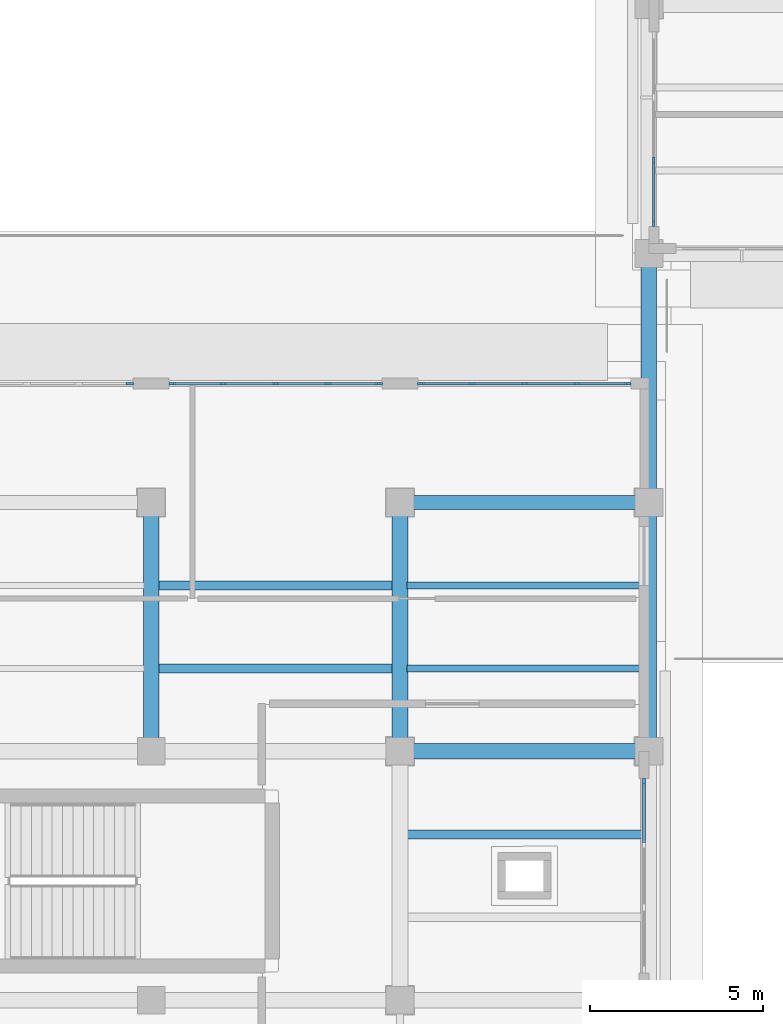
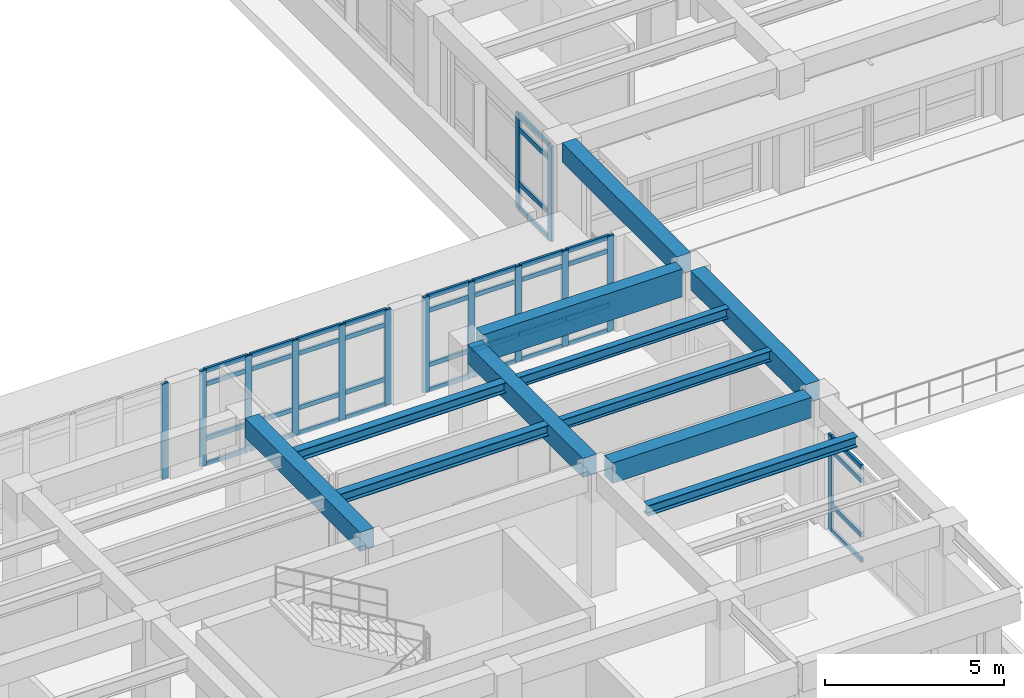
# One storey, part 14 of 67: 54 members, 11 beams, 5 elements without a shape of their own.
"""IFC4 building model written with IfcOpenShell, lengths in metres."""

from ifc_helpers import new_model, si_unit, direction, frame, origin, origin_2d, place, context, subcontext, project, spatial, rectangle, i_section, extrude, material, layer, layer_set, material_profile, profile_set, type_object, element, aggregate, save


model = new_model("IFC4")

# Units and contexts
model_context = context("Model", 3, precision=1e-05, world=origin(), true_north=direction((0.0, 1.0)))
body_context = subcontext(model_context, "Body", "Model", "MODEL_VIEW")
ifc_project = project(units=[si_unit("LENGTHUNIT", "METRE"), si_unit("AREAUNIT", "SQUARE_METRE"), si_unit("VOLUMEUNIT", "CUBIC_METRE"), si_unit("PLANEANGLEUNIT", "RADIAN"), si_unit("MASSUNIT", "GRAM", prefix="KILO")], contexts=[model_context])

# Site, building, storey
site_placement = place(None, origin())
site = spatial("IfcSite", under=ifc_project, at=site_placement, CompositionType="ELEMENT")
building_placement = place(site_placement, origin())
building = spatial("IfcBuilding", under=site, at=building_placement, Name="Solenvale Faculty of Natural Sciences", CompositionType="ELEMENT")
storey_placement = place(building_placement, frame((0.0, 0.0, 13.5)))
storey = spatial("IfcBuildingStorey", under=building, at=storey_placement, Name="L03", CompositionType="ELEMENT", Elevation=13.5)

# Beams
ifc_material_1 = material(Name="Concrete 40 MPa", Category="concrete")
ifc_material_profile_1 = material_profile(ifc_material_1, rectangle(XDim=0.449951171875, YDim=0.64990234375, at=origin_2d()), Name="RC-BM-450x650")
ifc_profile_set_1 = profile_set([ifc_material_profile_1], Name="Concrete 40 MPa")
beam_type_1 = type_object("IfcBeamType", Name="BM-RC-450x650", PredefinedType="BEAM", material=ifc_profile_set_1)
for number, where, z_axis, x_axis, name in (
    (1, (100.800048828125, 29.179931640625, 3.89501953125), (0.0, 1.0, 0.0), (-1.0, 0.0, 0.0), "L03 Y-Girder X100.8 (28.8..36.0)"),
    (2, (108.0, 29.179931640625, 3.89501953125), (0.0, 1.0, 0.0), (-1.0, 0.0, 0.0), "L03 Y-Girder X108.0 (28.8..36.0)"),
    (3, (115.199951171875, 29.179931640625, 3.89501953125), (0.0, 1.0, 0.0), (-1.0, 0.0, 0.0), "L03 Y-Girder X115.2 (28.8..36.0)"),
    (4, (115.199951171875, 36.3798828125, 3.89501953125), (0.0, 1.0, 0.0), (-1.0, 0.0, 0.0), "L03 Y-Girder X115.2 (36.0..43.2)"),
):
    element("IfcBeam", number, at=place(storey_placement, frame(where, z_axis=z_axis, x_axis=x_axis)), inside=storey, type_object=beam_type_1, Name=name, PredefinedType="BEAM", context=body_context, shape_type="SweptSolid", body=[
        extrude(rectangle(XDim=0.449951171875, YDim=0.64990234375, at=origin_2d()), origin(), (0.0, 0.0, 1.0), 6.440185546875),
    ])
ifc_material_profile_2 = material_profile(ifc_material_1, rectangle(XDim=0.449951171875, YDim=0.699951171875, at=origin_2d()), Name="RC-BM-450x700")
ifc_profile_set_2 = profile_set([ifc_material_profile_2], Name="Concrete 40 MPa")
beam_type_2 = type_object("IfcBeamType", Name="BM-RC-450x700", PredefinedType="BEAM", material=ifc_profile_set_2)
beam_1_placement = place(storey_placement, frame((108.3798828125, 28.800048828125, 3.8701171875), z_axis=(1.0, 0.0, 0.0), x_axis=(0.0, 1.0, 0.0)))
element("IfcBeam", 5, at=beam_1_placement, inside=storey, type_object=beam_type_2, Name="L03 X-Girder Y28.8 (108.0..115.2)", PredefinedType="BEAM", context=body_context, shape_type="SweptSolid", body=[
    extrude(rectangle(XDim=0.449951171875, YDim=0.699951171875, at=origin_2d()), origin(), (0.0, 0.0, 1.0), 6.440185546875),
])
ifc_material_2 = material(Name="Architectural bronze concrete 40 MPa", Category="concrete")
ifc_material_profile_3 = material_profile(ifc_material_2, rectangle(XDim=0.39990234375, YDim=0.949951171875, at=origin_2d()), Name="RC-SPN-400x950")
ifc_profile_set_3 = profile_set([ifc_material_profile_3], Name="Architectural bronze concrete 40 MPa")
beam_type_3 = type_object("IfcBeamType", Name="BM-SPN-BRZ-950", PredefinedType="SPANDREL", material=ifc_profile_set_3)
beam_2_placement = place(storey_placement, frame((108.3798828125, 36.0, 3.7451171875), z_axis=(1.0, 0.0, 0.0), x_axis=(0.0, 1.0, 0.0)))
element("IfcBeam", 6, at=beam_2_placement, inside=storey, type_object=beam_type_3, Name="L04 Sliding-Tray North Bronze Fascia 8", PredefinedType="SPANDREL", context=body_context, shape_type="SweptSolid", body=[
    extrude(rectangle(XDim=0.39990234375, YDim=0.949951171875, at=origin_2d()), origin(), (0.0, 0.0, 1.0), 6.440185546875),
])
ifc_material_3 = material(Name="Steel S355", Category="steel")
ifc_material_profile_4 = material_profile(ifc_material_3, i_section(OverallWidth=0.2548828125, OverallDepth=0.35693359375, WebThickness=0.010498046875, FlangeThickness=0.018310546875, FilletRadius=0.014892578125, at=origin_2d()), Name="W360x101")
ifc_profile_set_4 = profile_set([ifc_material_profile_4], Name="Steel S355")
beam_type_4 = type_object("IfcBeamType", Name="BM-STL-W360x101", PredefinedType="JOIST", material=ifc_profile_set_4)
for number, where, z_axis, x_axis, name in (
    (7, (101.0048828125, 31.199951171875, 4.04150390625), (1.0, 0.0, 0.0), (0.0, 1.0, 0.0), "L03 Composite Floor Joist (15,5).1"),
    (8, (101.0048828125, 33.60009765625, 4.04150390625), (1.0, 0.0, 0.0), (0.0, 1.0, 0.0), "L03 Composite Floor Joist (15,5).2"),
    (9, (108.205078125, 26.39990234375, 4.04150390625), (1.0, 0.0, 0.0), (0.0, 1.0, 0.0), "L03 Composite Floor Joist (16,4).2"),
):
    element("IfcBeam", number, at=place(storey_placement, frame(where, z_axis=z_axis, x_axis=x_axis)), inside=storey, type_object=beam_type_4, Name=name, PredefinedType="JOIST", context=body_context, shape_type="SweptSolid", body=[
        extrude(i_section(OverallWidth=0.2548828125, OverallDepth=0.35693359375, WebThickness=0.010498046875, FlangeThickness=0.018310546875, FilletRadius=0.014892578125, at=origin_2d()), origin(), (0.0, 0.0, 1.0), 6.7900390625),
    ])
ifc_material_profile_5 = material_profile(ifc_material_3, i_section(OverallWidth=0.2041015625, OverallDepth=0.35009765625, WebThickness=0.008544921875, FlangeThickness=0.01513671875, FilletRadius=0.014892578125, at=origin_2d()), Name="W360x72")
ifc_profile_set_5 = profile_set([ifc_material_profile_5], Name="Steel S355")
beam_type_5 = type_object("IfcBeamType", Name="BM-STL-W360x72", PredefinedType="JOIST", material=ifc_profile_set_5)
for number, where, z_axis, x_axis, name in (
    (10, (108.205078125, 31.199951171875, 4.044921875), (1.0, 0.0, 0.0), (0.0, 1.0, 0.0), "L03 Composite Floor Joist (16,5).1"),
    (11, (108.205078125, 33.60009765625, 4.044921875), (1.0, 0.0, 0.0), (0.0, 1.0, 0.0), "L03 Composite Floor Joist (16,5).2"),
):
    element("IfcBeam", number, at=place(storey_placement, frame(where, z_axis=z_axis, x_axis=x_axis)), inside=storey, type_object=beam_type_5, Name=name, PredefinedType="JOIST", context=body_context, shape_type="SweptSolid", body=[
        extrude(i_section(OverallWidth=0.2041015625, OverallDepth=0.35009765625, WebThickness=0.008544921875, FlangeThickness=0.01513671875, FilletRadius=0.014892578125, at=origin_2d()), origin(), (0.0, 0.0, 1.0), 6.7900390625),
    ])

# Curtain wall, member
ifc_material_4 = material(Name="Anodised bronze aluminium", Category="aluminium")
ifc_layer_1 = layer(ifc_material_4, 0.179931640625)
ifc_layer_set_1 = layer_set([ifc_layer_1], Name="Anodised bronze aluminium")
curtain_wall_type_1 = type_object("IfcCurtainWallType", Name="CW-TWR-MOD", PredefinedType="USERDEFINED", material=ifc_layer_set_1)
curtain_wall_1_placement = place(storey_placement, origin())
curtain_wall_1 = element("IfcCurtainWall", 12, at=curtain_wall_1_placement, inside=storey, type_object=curtain_wall_type_1, Name="L03 Curtain Wall CW-L03-P1-E7-B2", ObjectType="UNITISED CURTAIN WALL", PredefinedType="USERDEFINED")
ifc_material_profile_6 = material_profile(ifc_material_4, rectangle(XDim=0.074951171875, YDim=0.2099609375, at=origin_2d()), Name="ALU-MUL-75x210")
ifc_profile_set_6 = profile_set([ifc_material_profile_6], Name="Anodised bronze aluminium")
member_type_1 = type_object("IfcMemberType", Name="CWM-ALU-75x210", PredefinedType="MULLION", material=ifc_profile_set_6)
member_1_placement = place(storey_placement, frame((115.0576171875, 27.91259765625, 0.0), z_axis=(0.0, 0.0, 1.0), x_axis=(-1.0, 0.0, 0.0)))
member_1 = element("IfcMember", 13, at=member_1_placement, type_object=member_type_1, Name="CW-04 mullion 4", PredefinedType="MULLION", context=body_context, shape_type="SweptSolid", body=[
    extrude(rectangle(XDim=0.074951171875, YDim=0.2099609375, at=origin_2d()), origin(), (0.0, 0.0, 1.0), 3.260009765625),
])

# Curtain wall, members
ifc_layer_2 = layer(ifc_material_4, 0.18994140625)
ifc_layer_set_2 = layer_set([ifc_layer_2], Name="Anodised bronze aluminium")
curtain_wall_type_2 = type_object("IfcCurtainWallType", Name="CW-TRAY-REC", PredefinedType="USERDEFINED", material=ifc_layer_set_2)
curtain_wall_2_placement = place(storey_placement, origin())
curtain_wall_2 = element("IfcCurtainWall", 14, at=curtain_wall_2_placement, inside=storey, type_object=curtain_wall_type_2, Name="L03 Curtain Wall CW-L03-P1-E8-B1", ObjectType="UNITISED CURTAIN WALL", PredefinedType="USERDEFINED")
member_2_placement = place(storey_placement, frame((114.58251953125, 39.4375, 0.0), z_axis=(0.0, 0.0, 1.0), x_axis=(0.0, -1.0, 0.0)))
member_2 = element("IfcMember", 15, at=member_2_placement, type_object=member_type_1, Name="CW-02 mullion 1", PredefinedType="MULLION", context=body_context, shape_type="SweptSolid", body=[
    extrude(rectangle(XDim=0.074951171875, YDim=0.2099609375, at=origin_2d()), origin(), (0.0, 0.0, 1.0), 3.260009765625),
])
member_3_placement = place(storey_placement, frame((113.110107421875, 39.4375, 0.0), z_axis=(0.0, 0.0, 1.0), x_axis=(0.0, -1.0, 0.0)))
member_3 = element("IfcMember", 16, at=member_3_placement, type_object=member_type_1, Name="CW-02 mullion 2", PredefinedType="MULLION", context=body_context, shape_type="SweptSolid", body=[
    extrude(rectangle(XDim=0.074951171875, YDim=0.2099609375, at=origin_2d()), origin(), (0.0, 0.0, 1.0), 3.260009765625),
])
member_4_placement = place(storey_placement, frame((111.60009765625, 39.4375, 0.0), z_axis=(0.0, 0.0, 1.0), x_axis=(0.0, -1.0, 0.0)))
member_4 = element("IfcMember", 17, at=member_4_placement, type_object=member_type_1, Name="CW-02 mullion 3", PredefinedType="MULLION", context=body_context, shape_type="SweptSolid", body=[
    extrude(rectangle(XDim=0.074951171875, YDim=0.2099609375, at=origin_2d()), origin(), (0.0, 0.0, 1.0), 3.260009765625),
])
member_5_placement = place(storey_placement, frame((110.090087890625, 39.4375, 0.0), z_axis=(0.0, 0.0, 1.0), x_axis=(0.0, -1.0, 0.0)))
member_5 = element("IfcMember", 18, at=member_5_placement, type_object=member_type_1, Name="CW-02 mullion 4", PredefinedType="MULLION", context=body_context, shape_type="SweptSolid", body=[
    extrude(rectangle(XDim=0.074951171875, YDim=0.2099609375, at=origin_2d()), origin(), (0.0, 0.0, 1.0), 3.260009765625),
])
member_6_placement = place(storey_placement, frame((108.617431640625, 39.4375, 0.0), z_axis=(0.0, 0.0, 1.0), x_axis=(0.0, -1.0, 0.0)))
member_6 = element("IfcMember", 19, at=member_6_placement, type_object=member_type_1, Name="CW-02 mullion 5", PredefinedType="MULLION", context=body_context, shape_type="SweptSolid", body=[
    extrude(rectangle(XDim=0.074951171875, YDim=0.2099609375, at=origin_2d()), origin(), (0.0, 0.0, 1.0), 3.260009765625),
])

curtain_wall_3_placement = place(storey_placement, origin())
curtain_wall_3 = element("IfcCurtainWall", 20, at=curtain_wall_3_placement, inside=storey, type_object=curtain_wall_type_2, Name="L03 Curtain Wall CW-L03-P1-E8-B2", ObjectType="UNITISED CURTAIN WALL", PredefinedType="USERDEFINED")
member_7_placement = place(storey_placement, frame((107.382568359375, 39.4375, 0.0), z_axis=(0.0, 0.0, 1.0), x_axis=(0.0, -1.0, 0.0)))
member_7 = element("IfcMember", 21, at=member_7_placement, type_object=member_type_1, Name="CW-02 mullion 1", PredefinedType="MULLION", context=body_context, shape_type="SweptSolid", body=[
    extrude(rectangle(XDim=0.074951171875, YDim=0.2099609375, at=origin_2d()), origin(), (0.0, 0.0, 1.0), 3.260009765625),
])
member_8_placement = place(storey_placement, frame((105.909912109375, 39.4375, 0.0), z_axis=(0.0, 0.0, 1.0), x_axis=(0.0, -1.0, 0.0)))
member_8 = element("IfcMember", 22, at=member_8_placement, type_object=member_type_1, Name="CW-02 mullion 2", PredefinedType="MULLION", context=body_context, shape_type="SweptSolid", body=[
    extrude(rectangle(XDim=0.074951171875, YDim=0.2099609375, at=origin_2d()), origin(), (0.0, 0.0, 1.0), 3.260009765625),
])
member_9_placement = place(storey_placement, frame((104.39990234375, 39.4375, 0.0), z_axis=(0.0, 0.0, 1.0), x_axis=(0.0, -1.0, 0.0)))
member_9 = element("IfcMember", 23, at=member_9_placement, type_object=member_type_1, Name="CW-02 mullion 3", PredefinedType="MULLION", context=body_context, shape_type="SweptSolid", body=[
    extrude(rectangle(XDim=0.074951171875, YDim=0.2099609375, at=origin_2d()), origin(), (0.0, 0.0, 1.0), 3.260009765625),
])
member_10_placement = place(storey_placement, frame((102.889892578125, 39.4375, 0.0), z_axis=(0.0, 0.0, 1.0), x_axis=(0.0, -1.0, 0.0)))
member_10 = element("IfcMember", 24, at=member_10_placement, type_object=member_type_1, Name="CW-02 mullion 4", PredefinedType="MULLION", context=body_context, shape_type="SweptSolid", body=[
    extrude(rectangle(XDim=0.074951171875, YDim=0.2099609375, at=origin_2d()), origin(), (0.0, 0.0, 1.0), 3.260009765625),
])
member_11_placement = place(storey_placement, frame((101.41748046875, 39.4375, 0.0), z_axis=(0.0, 0.0, 1.0), x_axis=(0.0, -1.0, 0.0)))
member_11 = element("IfcMember", 25, at=member_11_placement, type_object=member_type_1, Name="CW-02 mullion 5", PredefinedType="MULLION", context=body_context, shape_type="SweptSolid", body=[
    extrude(rectangle(XDim=0.074951171875, YDim=0.2099609375, at=origin_2d()), origin(), (0.0, 0.0, 1.0), 3.260009765625),
])

# Curtain wall, member
curtain_wall_4_placement = place(storey_placement, origin())
curtain_wall_4 = element("IfcCurtainWall", 26, at=curtain_wall_4_placement, inside=storey, type_object=curtain_wall_type_2, Name="L03 Curtain Wall CW-L03-P1-E8-B3", ObjectType="UNITISED CURTAIN WALL", PredefinedType="USERDEFINED")
member_12_placement = place(storey_placement, frame((100.1826171875, 39.4375, 0.0), z_axis=(0.0, 0.0, 1.0), x_axis=(0.0, -1.0, 0.0)))
member_12 = element("IfcMember", 27, at=member_12_placement, type_object=member_type_1, Name="CW-02 mullion 1", PredefinedType="MULLION", context=body_context, shape_type="SweptSolid", body=[
    extrude(rectangle(XDim=0.074951171875, YDim=0.2099609375, at=origin_2d()), origin(), (0.0, 0.0, 1.0), 3.260009765625),
])
aggregate(curtain_wall_4, [member_12])

# Curtain wall, members
ifc_layer_3 = layer(ifc_material_4, 0.199951171875)
ifc_layer_set_3 = layer_set([ifc_layer_3], Name="Anodised bronze aluminium")
curtain_wall_type_3 = type_object("IfcCurtainWallType", Name="CW-COM-FIN", PredefinedType="USERDEFINED", material=ifc_layer_set_3)
curtain_wall_5_placement = place(storey_placement, origin())
curtain_wall_5 = element("IfcCurtainWall", 28, at=curtain_wall_5_placement, inside=storey, type_object=curtain_wall_type_3, Name="L03 Curtain Wall CW-L03-P2-E4-B2", ObjectType="UNITISED CURTAIN WALL", PredefinedType="USERDEFINED")
member_13_placement = place(storey_placement, frame((115.342529296875, 45.88330078125, 0.0), z_axis=(0.0, 0.0, 1.0), x_axis=(1.0, 0.0, 0.0)))
member_13 = element("IfcMember", 29, at=member_13_placement, type_object=member_type_1, Name="CW-03 mullion 3", PredefinedType="MULLION", context=body_context, shape_type="SweptSolid", body=[
    extrude(rectangle(XDim=0.074951171875, YDim=0.2099609375, at=origin_2d()), origin(), (0.0, 0.0, 1.0), 3.260009765625),
])
member_14_placement = place(storey_placement, frame((115.342529296875, 44.08740234375, 0.0), z_axis=(0.0, 0.0, 1.0), x_axis=(1.0, 0.0, 0.0)))
member_14 = element("IfcMember", 30, at=member_14_placement, type_object=member_type_1, Name="CW-03 mullion 4", PredefinedType="MULLION", context=body_context, shape_type="SweptSolid", body=[
    extrude(rectangle(XDim=0.074951171875, YDim=0.2099609375, at=origin_2d()), origin(), (0.0, 0.0, 1.0), 3.260009765625),
])

# Member
ifc_material_profile_7 = material_profile(ifc_material_4, rectangle(XDim=0.074951171875, YDim=0.155029296875, at=origin_2d()), Name="ALU-TRN-75x155")
ifc_profile_set_7 = profile_set([ifc_material_profile_7], Name="Anodised bronze aluminium")
member_type_2 = type_object("IfcMemberType", Name="CWT-ALU-75x155", PredefinedType="USERDEFINED", material=ifc_profile_set_7)
member_15_placement = place(storey_placement, frame((115.0576171875, 26.154052734375, 0.03759765625), z_axis=(0.0, 1.0, 0.0), x_axis=(-1.0, 0.0, 0.0)))
member_15 = element("IfcMember", 31, at=member_15_placement, type_object=member_type_2, Name="CW-04 transom 3.1", ObjectType="TRANSOM", PredefinedType="USERDEFINED", context=body_context, shape_type="SweptSolid", body=[
    extrude(rectangle(XDim=0.074951171875, YDim=0.155029296875, at=origin_2d()), origin(), (0.0, 0.0, 1.0), 1.720947265625),
])

member_16_placement = place(storey_placement, frame((115.0576171875, 26.154052734375, 0.89990234375), z_axis=(0.0, 1.0, 0.0), x_axis=(-1.0, 0.0, 0.0)))
member_16 = element("IfcMember", 32, at=member_16_placement, type_object=member_type_2, Name="CW-04 transom 3.2", ObjectType="TRANSOM", PredefinedType="USERDEFINED", context=body_context, shape_type="SweptSolid", body=[
    extrude(rectangle(XDim=0.074951171875, YDim=0.155029296875, at=origin_2d()), origin(), (0.0, 0.0, 1.0), 1.720947265625),
])

member_17_placement = place(storey_placement, frame((115.0576171875, 26.154052734375, 2.760009765625), z_axis=(0.0, 1.0, 0.0), x_axis=(-1.0, 0.0, 0.0)))
member_17 = element("IfcMember", 33, at=member_17_placement, type_object=member_type_2, Name="CW-04 transom 3.3", ObjectType="TRANSOM", PredefinedType="USERDEFINED", context=body_context, shape_type="SweptSolid", body=[
    extrude(rectangle(XDim=0.074951171875, YDim=0.155029296875, at=origin_2d()), origin(), (0.0, 0.0, 1.0), 1.720947265625),
])

member_18_placement = place(storey_placement, frame((115.0576171875, 26.154052734375, 3.222412109375), z_axis=(0.0, 1.0, 0.0), x_axis=(-1.0, 0.0, 0.0)))
member_18 = element("IfcMember", 34, at=member_18_placement, type_object=member_type_2, Name="CW-04 transom 3.4", ObjectType="TRANSOM", PredefinedType="USERDEFINED", context=body_context, shape_type="SweptSolid", body=[
    extrude(rectangle(XDim=0.074951171875, YDim=0.155029296875, at=origin_2d()), origin(), (0.0, 0.0, 1.0), 1.720947265625),
])

aggregate(curtain_wall_1, [member_1, member_15, member_16, member_17, member_18])

member_19_placement = place(storey_placement, frame((114.544921875, 39.4375, 0.03759765625), z_axis=(-1.0, 0.0, 0.0), x_axis=(0.0, -1.0, 0.0)))
member_19 = element("IfcMember", 35, at=member_19_placement, type_object=member_type_2, Name="CW-02 transom 1.1", ObjectType="TRANSOM", PredefinedType="USERDEFINED", context=body_context, shape_type="SweptSolid", body=[
    extrude(rectangle(XDim=0.074951171875, YDim=0.155029296875, at=origin_2d()), origin(), (0.0, 0.0, 1.0), 1.3974609375),
])

member_20_placement = place(storey_placement, frame((114.544921875, 39.4375, 0.89990234375), z_axis=(-1.0, 0.0, 0.0), x_axis=(0.0, -1.0, 0.0)))
member_20 = element("IfcMember", 36, at=member_20_placement, type_object=member_type_2, Name="CW-02 transom 1.2", ObjectType="TRANSOM", PredefinedType="USERDEFINED", context=body_context, shape_type="SweptSolid", body=[
    extrude(rectangle(XDim=0.074951171875, YDim=0.155029296875, at=origin_2d()), origin(), (0.0, 0.0, 1.0), 1.3974609375),
])

member_21_placement = place(storey_placement, frame((114.544921875, 39.4375, 2.760009765625), z_axis=(-1.0, 0.0, 0.0), x_axis=(0.0, -1.0, 0.0)))
member_21 = element("IfcMember", 37, at=member_21_placement, type_object=member_type_2, Name="CW-02 transom 1.3", ObjectType="TRANSOM", PredefinedType="USERDEFINED", context=body_context, shape_type="SweptSolid", body=[
    extrude(rectangle(XDim=0.074951171875, YDim=0.155029296875, at=origin_2d()), origin(), (0.0, 0.0, 1.0), 1.3974609375),
])

member_22_placement = place(storey_placement, frame((114.544921875, 39.4375, 3.222412109375), z_axis=(-1.0, 0.0, 0.0), x_axis=(0.0, -1.0, 0.0)))
member_22 = element("IfcMember", 38, at=member_22_placement, type_object=member_type_2, Name="CW-02 transom 1.4", ObjectType="TRANSOM", PredefinedType="USERDEFINED", context=body_context, shape_type="SweptSolid", body=[
    extrude(rectangle(XDim=0.074951171875, YDim=0.155029296875, at=origin_2d()), origin(), (0.0, 0.0, 1.0), 1.3974609375),
])

member_23_placement = place(storey_placement, frame((113.072509765625, 39.4375, 0.03759765625), z_axis=(-1.0, 0.0, 0.0), x_axis=(0.0, -1.0, 0.0)))
member_23 = element("IfcMember", 39, at=member_23_placement, type_object=member_type_2, Name="CW-02 transom 2.1", ObjectType="TRANSOM", PredefinedType="USERDEFINED", context=body_context, shape_type="SweptSolid", body=[
    extrude(rectangle(XDim=0.074951171875, YDim=0.155029296875, at=origin_2d()), origin(), (0.0, 0.0, 1.0), 1.43505859375),
])

member_24_placement = place(storey_placement, frame((113.072509765625, 39.4375, 0.89990234375), z_axis=(-1.0, 0.0, 0.0), x_axis=(0.0, -1.0, 0.0)))
member_24 = element("IfcMember", 40, at=member_24_placement, type_object=member_type_2, Name="CW-02 transom 2.2", ObjectType="TRANSOM", PredefinedType="USERDEFINED", context=body_context, shape_type="SweptSolid", body=[
    extrude(rectangle(XDim=0.074951171875, YDim=0.155029296875, at=origin_2d()), origin(), (0.0, 0.0, 1.0), 1.43505859375),
])

member_25_placement = place(storey_placement, frame((113.072509765625, 39.4375, 2.760009765625), z_axis=(-1.0, 0.0, 0.0), x_axis=(0.0, -1.0, 0.0)))
member_25 = element("IfcMember", 41, at=member_25_placement, type_object=member_type_2, Name="CW-02 transom 2.3", ObjectType="TRANSOM", PredefinedType="USERDEFINED", context=body_context, shape_type="SweptSolid", body=[
    extrude(rectangle(XDim=0.074951171875, YDim=0.155029296875, at=origin_2d()), origin(), (0.0, 0.0, 1.0), 1.43505859375),
])

member_26_placement = place(storey_placement, frame((113.072509765625, 39.4375, 3.222412109375), z_axis=(-1.0, 0.0, 0.0), x_axis=(0.0, -1.0, 0.0)))
member_26 = element("IfcMember", 42, at=member_26_placement, type_object=member_type_2, Name="CW-02 transom 2.4", ObjectType="TRANSOM", PredefinedType="USERDEFINED", context=body_context, shape_type="SweptSolid", body=[
    extrude(rectangle(XDim=0.074951171875, YDim=0.155029296875, at=origin_2d()), origin(), (0.0, 0.0, 1.0), 1.43505859375),
])

member_27_placement = place(storey_placement, frame((111.5625, 39.4375, 0.03759765625), z_axis=(-1.0, 0.0, 0.0), x_axis=(0.0, -1.0, 0.0)))
member_27 = element("IfcMember", 43, at=member_27_placement, type_object=member_type_2, Name="CW-02 transom 3.1", ObjectType="TRANSOM", PredefinedType="USERDEFINED", context=body_context, shape_type="SweptSolid", body=[
    extrude(rectangle(XDim=0.074951171875, YDim=0.155029296875, at=origin_2d()), origin(), (0.0, 0.0, 1.0), 1.43505859375),
])

member_28_placement = place(storey_placement, frame((111.5625, 39.4375, 0.89990234375), z_axis=(-1.0, 0.0, 0.0), x_axis=(0.0, -1.0, 0.0)))
member_28 = element("IfcMember", 44, at=member_28_placement, type_object=member_type_2, Name="CW-02 transom 3.2", ObjectType="TRANSOM", PredefinedType="USERDEFINED", context=body_context, shape_type="SweptSolid", body=[
    extrude(rectangle(XDim=0.074951171875, YDim=0.155029296875, at=origin_2d()), origin(), (0.0, 0.0, 1.0), 1.43505859375),
])

member_29_placement = place(storey_placement, frame((111.5625, 39.4375, 2.760009765625), z_axis=(-1.0, 0.0, 0.0), x_axis=(0.0, -1.0, 0.0)))
member_29 = element("IfcMember", 45, at=member_29_placement, type_object=member_type_2, Name="CW-02 transom 3.3", ObjectType="TRANSOM", PredefinedType="USERDEFINED", context=body_context, shape_type="SweptSolid", body=[
    extrude(rectangle(XDim=0.074951171875, YDim=0.155029296875, at=origin_2d()), origin(), (0.0, 0.0, 1.0), 1.43505859375),
])

member_30_placement = place(storey_placement, frame((111.5625, 39.4375, 3.222412109375), z_axis=(-1.0, 0.0, 0.0), x_axis=(0.0, -1.0, 0.0)))
member_30 = element("IfcMember", 46, at=member_30_placement, type_object=member_type_2, Name="CW-02 transom 3.4", ObjectType="TRANSOM", PredefinedType="USERDEFINED", context=body_context, shape_type="SweptSolid", body=[
    extrude(rectangle(XDim=0.074951171875, YDim=0.155029296875, at=origin_2d()), origin(), (0.0, 0.0, 1.0), 1.43505859375),
])

member_31_placement = place(storey_placement, frame((110.052490234375, 39.4375, 0.03759765625), z_axis=(-1.0, 0.0, 0.0), x_axis=(0.0, -1.0, 0.0)))
member_31 = element("IfcMember", 47, at=member_31_placement, type_object=member_type_2, Name="CW-02 transom 4.1", ObjectType="TRANSOM", PredefinedType="USERDEFINED", context=body_context, shape_type="SweptSolid", body=[
    extrude(rectangle(XDim=0.074951171875, YDim=0.155029296875, at=origin_2d()), origin(), (0.0, 0.0, 1.0), 1.3974609375),
])

member_32_placement = place(storey_placement, frame((110.052490234375, 39.4375, 0.89990234375), z_axis=(-1.0, 0.0, 0.0), x_axis=(0.0, -1.0, 0.0)))
member_32 = element("IfcMember", 48, at=member_32_placement, type_object=member_type_2, Name="CW-02 transom 4.2", ObjectType="TRANSOM", PredefinedType="USERDEFINED", context=body_context, shape_type="SweptSolid", body=[
    extrude(rectangle(XDim=0.074951171875, YDim=0.155029296875, at=origin_2d()), origin(), (0.0, 0.0, 1.0), 1.3974609375),
])

member_33_placement = place(storey_placement, frame((110.052490234375, 39.4375, 2.760009765625), z_axis=(-1.0, 0.0, 0.0), x_axis=(0.0, -1.0, 0.0)))
member_33 = element("IfcMember", 49, at=member_33_placement, type_object=member_type_2, Name="CW-02 transom 4.3", ObjectType="TRANSOM", PredefinedType="USERDEFINED", context=body_context, shape_type="SweptSolid", body=[
    extrude(rectangle(XDim=0.074951171875, YDim=0.155029296875, at=origin_2d()), origin(), (0.0, 0.0, 1.0), 1.3974609375),
])

member_34_placement = place(storey_placement, frame((110.052490234375, 39.4375, 3.222412109375), z_axis=(-1.0, 0.0, 0.0), x_axis=(0.0, -1.0, 0.0)))
member_34 = element("IfcMember", 50, at=member_34_placement, type_object=member_type_2, Name="CW-02 transom 4.4", ObjectType="TRANSOM", PredefinedType="USERDEFINED", context=body_context, shape_type="SweptSolid", body=[
    extrude(rectangle(XDim=0.074951171875, YDim=0.155029296875, at=origin_2d()), origin(), (0.0, 0.0, 1.0), 1.3974609375),
])

aggregate(curtain_wall_2, [member_2, member_3, member_4, member_5, member_6, member_19, member_20, member_21, member_22, member_23, member_24, member_25, member_26, member_27, member_28, member_29, member_30, member_31, member_32, member_33, member_34])

member_35_placement = place(storey_placement, frame((107.344970703125, 39.4375, 0.03759765625), z_axis=(-1.0, 0.0, 0.0), x_axis=(0.0, -1.0, 0.0)))
member_35 = element("IfcMember", 51, at=member_35_placement, type_object=member_type_2, Name="CW-02 transom 1.1", ObjectType="TRANSOM", PredefinedType="USERDEFINED", context=body_context, shape_type="SweptSolid", body=[
    extrude(rectangle(XDim=0.074951171875, YDim=0.155029296875, at=origin_2d()), origin(), (0.0, 0.0, 1.0), 1.3974609375),
])

member_36_placement = place(storey_placement, frame((107.344970703125, 39.4375, 0.89990234375), z_axis=(-1.0, 0.0, 0.0), x_axis=(0.0, -1.0, 0.0)))
member_36 = element("IfcMember", 52, at=member_36_placement, type_object=member_type_2, Name="CW-02 transom 1.2", ObjectType="TRANSOM", PredefinedType="USERDEFINED", context=body_context, shape_type="SweptSolid", body=[
    extrude(rectangle(XDim=0.074951171875, YDim=0.155029296875, at=origin_2d()), origin(), (0.0, 0.0, 1.0), 1.3974609375),
])

member_37_placement = place(storey_placement, frame((107.344970703125, 39.4375, 2.760009765625), z_axis=(-1.0, 0.0, 0.0), x_axis=(0.0, -1.0, 0.0)))
member_37 = element("IfcMember", 53, at=member_37_placement, type_object=member_type_2, Name="CW-02 transom 1.3", ObjectType="TRANSOM", PredefinedType="USERDEFINED", context=body_context, shape_type="SweptSolid", body=[
    extrude(rectangle(XDim=0.074951171875, YDim=0.155029296875, at=origin_2d()), origin(), (0.0, 0.0, 1.0), 1.3974609375),
])

member_38_placement = place(storey_placement, frame((107.344970703125, 39.4375, 3.222412109375), z_axis=(-1.0, 0.0, 0.0), x_axis=(0.0, -1.0, 0.0)))
member_38 = element("IfcMember", 54, at=member_38_placement, type_object=member_type_2, Name="CW-02 transom 1.4", ObjectType="TRANSOM", PredefinedType="USERDEFINED", context=body_context, shape_type="SweptSolid", body=[
    extrude(rectangle(XDim=0.074951171875, YDim=0.155029296875, at=origin_2d()), origin(), (0.0, 0.0, 1.0), 1.3974609375),
])

member_39_placement = place(storey_placement, frame((105.87255859375, 39.4375, 0.03759765625), z_axis=(-1.0, 0.0, 0.0), x_axis=(0.0, -1.0, 0.0)))
member_39 = element("IfcMember", 55, at=member_39_placement, type_object=member_type_2, Name="CW-02 transom 2.1", ObjectType="TRANSOM", PredefinedType="USERDEFINED", context=body_context, shape_type="SweptSolid", body=[
    extrude(rectangle(XDim=0.074951171875, YDim=0.155029296875, at=origin_2d()), origin(), (0.0, 0.0, 1.0), 1.43505859375),
])

member_40_placement = place(storey_placement, frame((105.87255859375, 39.4375, 0.89990234375), z_axis=(-1.0, 0.0, 0.0), x_axis=(0.0, -1.0, 0.0)))
member_40 = element("IfcMember", 56, at=member_40_placement, type_object=member_type_2, Name="CW-02 transom 2.2", ObjectType="TRANSOM", PredefinedType="USERDEFINED", context=body_context, shape_type="SweptSolid", body=[
    extrude(rectangle(XDim=0.074951171875, YDim=0.155029296875, at=origin_2d()), origin(), (0.0, 0.0, 1.0), 1.43505859375),
])

member_41_placement = place(storey_placement, frame((105.87255859375, 39.4375, 2.760009765625), z_axis=(-1.0, 0.0, 0.0), x_axis=(0.0, -1.0, 0.0)))
member_41 = element("IfcMember", 57, at=member_41_placement, type_object=member_type_2, Name="CW-02 transom 2.3", ObjectType="TRANSOM", PredefinedType="USERDEFINED", context=body_context, shape_type="SweptSolid", body=[
    extrude(rectangle(XDim=0.074951171875, YDim=0.155029296875, at=origin_2d()), origin(), (0.0, 0.0, 1.0), 1.43505859375),
])

member_42_placement = place(storey_placement, frame((105.87255859375, 39.4375, 3.222412109375), z_axis=(-1.0, 0.0, 0.0), x_axis=(0.0, -1.0, 0.0)))
member_42 = element("IfcMember", 58, at=member_42_placement, type_object=member_type_2, Name="CW-02 transom 2.4", ObjectType="TRANSOM", PredefinedType="USERDEFINED", context=body_context, shape_type="SweptSolid", body=[
    extrude(rectangle(XDim=0.074951171875, YDim=0.155029296875, at=origin_2d()), origin(), (0.0, 0.0, 1.0), 1.43505859375),
])

member_43_placement = place(storey_placement, frame((104.362548828125, 39.4375, 0.03759765625), z_axis=(-1.0, 0.0, 0.0), x_axis=(0.0, -1.0, 0.0)))
member_43 = element("IfcMember", 59, at=member_43_placement, type_object=member_type_2, Name="CW-02 transom 3.1", ObjectType="TRANSOM", PredefinedType="USERDEFINED", context=body_context, shape_type="SweptSolid", body=[
    extrude(rectangle(XDim=0.074951171875, YDim=0.155029296875, at=origin_2d()), origin(), (0.0, 0.0, 1.0), 1.43505859375),
])

member_44_placement = place(storey_placement, frame((104.362548828125, 39.4375, 0.89990234375), z_axis=(-1.0, 0.0, 0.0), x_axis=(0.0, -1.0, 0.0)))
member_44 = element("IfcMember", 60, at=member_44_placement, type_object=member_type_2, Name="CW-02 transom 3.2", ObjectType="TRANSOM", PredefinedType="USERDEFINED", context=body_context, shape_type="SweptSolid", body=[
    extrude(rectangle(XDim=0.074951171875, YDim=0.155029296875, at=origin_2d()), origin(), (0.0, 0.0, 1.0), 1.43505859375),
])

member_45_placement = place(storey_placement, frame((104.362548828125, 39.4375, 2.760009765625), z_axis=(-1.0, 0.0, 0.0), x_axis=(0.0, -1.0, 0.0)))
member_45 = element("IfcMember", 61, at=member_45_placement, type_object=member_type_2, Name="CW-02 transom 3.3", ObjectType="TRANSOM", PredefinedType="USERDEFINED", context=body_context, shape_type="SweptSolid", body=[
    extrude(rectangle(XDim=0.074951171875, YDim=0.155029296875, at=origin_2d()), origin(), (0.0, 0.0, 1.0), 1.43505859375),
])

member_46_placement = place(storey_placement, frame((104.362548828125, 39.4375, 3.222412109375), z_axis=(-1.0, 0.0, 0.0), x_axis=(0.0, -1.0, 0.0)))
member_46 = element("IfcMember", 62, at=member_46_placement, type_object=member_type_2, Name="CW-02 transom 3.4", ObjectType="TRANSOM", PredefinedType="USERDEFINED", context=body_context, shape_type="SweptSolid", body=[
    extrude(rectangle(XDim=0.074951171875, YDim=0.155029296875, at=origin_2d()), origin(), (0.0, 0.0, 1.0), 1.43505859375),
])

member_47_placement = place(storey_placement, frame((102.8525390625, 39.4375, 0.03759765625), z_axis=(-1.0, 0.0, 0.0), x_axis=(0.0, -1.0, 0.0)))
member_47 = element("IfcMember", 63, at=member_47_placement, type_object=member_type_2, Name="CW-02 transom 4.1", ObjectType="TRANSOM", PredefinedType="USERDEFINED", context=body_context, shape_type="SweptSolid", body=[
    extrude(rectangle(XDim=0.074951171875, YDim=0.155029296875, at=origin_2d()), origin(), (0.0, 0.0, 1.0), 1.3974609375),
])

member_48_placement = place(storey_placement, frame((102.8525390625, 39.4375, 0.89990234375), z_axis=(-1.0, 0.0, 0.0), x_axis=(0.0, -1.0, 0.0)))
member_48 = element("IfcMember", 64, at=member_48_placement, type_object=member_type_2, Name="CW-02 transom 4.2", ObjectType="TRANSOM", PredefinedType="USERDEFINED", context=body_context, shape_type="SweptSolid", body=[
    extrude(rectangle(XDim=0.074951171875, YDim=0.155029296875, at=origin_2d()), origin(), (0.0, 0.0, 1.0), 1.3974609375),
])

member_49_placement = place(storey_placement, frame((102.8525390625, 39.4375, 2.760009765625), z_axis=(-1.0, 0.0, 0.0), x_axis=(0.0, -1.0, 0.0)))
member_49 = element("IfcMember", 65, at=member_49_placement, type_object=member_type_2, Name="CW-02 transom 4.3", ObjectType="TRANSOM", PredefinedType="USERDEFINED", context=body_context, shape_type="SweptSolid", body=[
    extrude(rectangle(XDim=0.074951171875, YDim=0.155029296875, at=origin_2d()), origin(), (0.0, 0.0, 1.0), 1.3974609375),
])

member_50_placement = place(storey_placement, frame((102.8525390625, 39.4375, 3.222412109375), z_axis=(-1.0, 0.0, 0.0), x_axis=(0.0, -1.0, 0.0)))
member_50 = element("IfcMember", 66, at=member_50_placement, type_object=member_type_2, Name="CW-02 transom 4.4", ObjectType="TRANSOM", PredefinedType="USERDEFINED", context=body_context, shape_type="SweptSolid", body=[
    extrude(rectangle(XDim=0.074951171875, YDim=0.155029296875, at=origin_2d()), origin(), (0.0, 0.0, 1.0), 1.3974609375),
])

aggregate(curtain_wall_3, [member_7, member_8, member_9, member_10, member_11, member_35, member_36, member_37, member_38, member_39, member_40, member_41, member_42, member_43, member_44, member_45, member_46, member_47, member_48, member_49, member_50])

member_51_placement = place(storey_placement, frame((115.342529296875, 45.845947265625, 0.03759765625), z_axis=(0.0, -1.0, 0.0), x_axis=(1.0, 0.0, 0.0)))
member_51 = element("IfcMember", 67, at=member_51_placement, type_object=member_type_2, Name="CW-03 transom 3.1", ObjectType="TRANSOM", PredefinedType="USERDEFINED", context=body_context, shape_type="SweptSolid", body=[
    extrude(rectangle(XDim=0.074951171875, YDim=0.155029296875, at=origin_2d()), origin(), (0.0, 0.0, 1.0), 1.720947265625),
])

member_52_placement = place(storey_placement, frame((115.342529296875, 45.845947265625, 0.89990234375), z_axis=(0.0, -1.0, 0.0), x_axis=(1.0, 0.0, 0.0)))
member_52 = element("IfcMember", 68, at=member_52_placement, type_object=member_type_2, Name="CW-03 transom 3.2", ObjectType="TRANSOM", PredefinedType="USERDEFINED", context=body_context, shape_type="SweptSolid", body=[
    extrude(rectangle(XDim=0.074951171875, YDim=0.155029296875, at=origin_2d()), origin(), (0.0, 0.0, 1.0), 1.720947265625),
])

member_53_placement = place(storey_placement, frame((115.342529296875, 45.845947265625, 2.760009765625), z_axis=(0.0, -1.0, 0.0), x_axis=(1.0, 0.0, 0.0)))
member_53 = element("IfcMember", 69, at=member_53_placement, type_object=member_type_2, Name="CW-03 transom 3.3", ObjectType="TRANSOM", PredefinedType="USERDEFINED", context=body_context, shape_type="SweptSolid", body=[
    extrude(rectangle(XDim=0.074951171875, YDim=0.155029296875, at=origin_2d()), origin(), (0.0, 0.0, 1.0), 1.720947265625),
])

member_54_placement = place(storey_placement, frame((115.342529296875, 45.845947265625, 3.222412109375), z_axis=(0.0, -1.0, 0.0), x_axis=(1.0, 0.0, 0.0)))
member_54 = element("IfcMember", 70, at=member_54_placement, type_object=member_type_2, Name="CW-03 transom 3.4", ObjectType="TRANSOM", PredefinedType="USERDEFINED", context=body_context, shape_type="SweptSolid", body=[
    extrude(rectangle(XDim=0.074951171875, YDim=0.155029296875, at=origin_2d()), origin(), (0.0, 0.0, 1.0), 1.720947265625),
])

aggregate(curtain_wall_5, [member_13, member_14, member_51, member_52, member_53, member_54])

save(model, "model.ifc")
